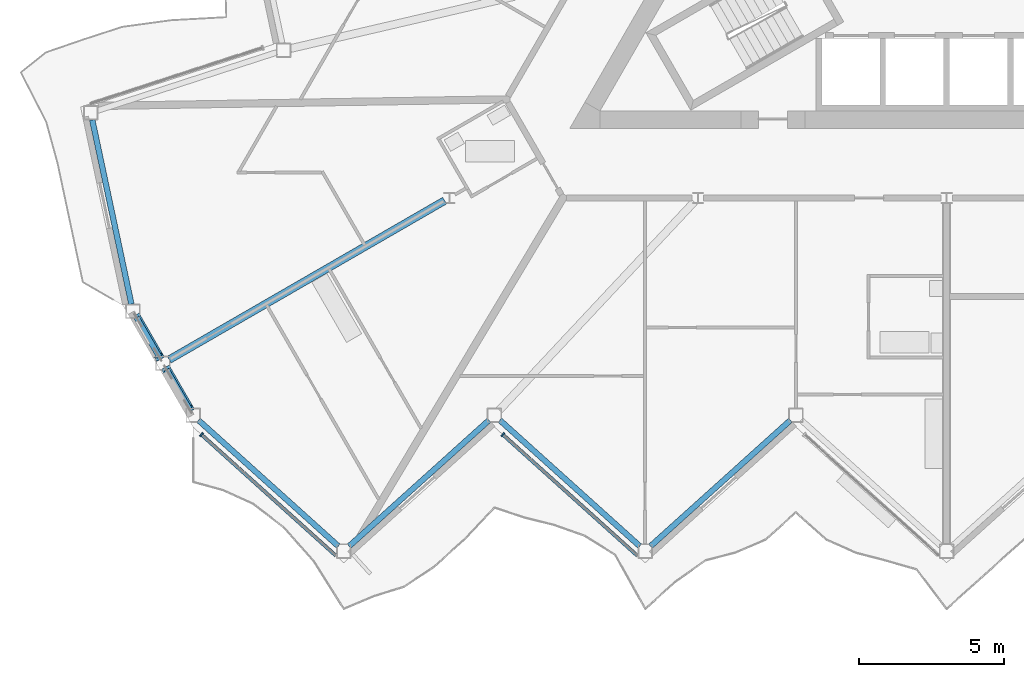
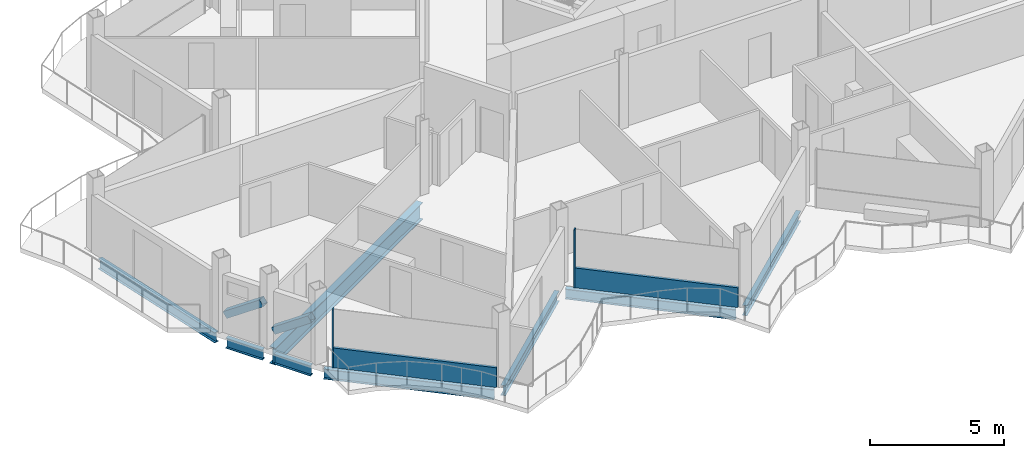
# One storey, part 4 of 26: 8 beams, 6 members, 2 elements without a shape of their own.
"""IFC4 building model written with IfcOpenShell, lengths in metres."""

from ifc_helpers import new_model, si_unit, direction, frame, origin, origin_2d, place, context, subcontext, project, spatial, rectangle, hollow_rectangle, i_section, extrude, material, layer, layer_set, material_profile, profile_set, type_object, element, aggregate, save


model = new_model("IFC4")

# Units and contexts
model_context = context("Model", 3, precision=1e-05, world=origin(), true_north=direction((0.0, 1.0)))
body_context = subcontext(model_context, "Body", "Model", "MODEL_VIEW")
ifc_project = project(units=[si_unit("LENGTHUNIT", "METRE"), si_unit("AREAUNIT", "SQUARE_METRE"), si_unit("VOLUMEUNIT", "CUBIC_METRE"), si_unit("PLANEANGLEUNIT", "RADIAN"), si_unit("MASSUNIT", "GRAM", prefix="KILO")], contexts=[model_context])

# Site, building, storey
site_placement = place(None, origin())
site = spatial("IfcSite", under=ifc_project, at=site_placement, CompositionType="ELEMENT")
building_placement = place(site_placement, origin())
building = spatial("IfcBuilding", under=site, at=building_placement, Name="Cormorant Prow Tower", CompositionType="ELEMENT")
storey_placement = place(building_placement, frame((0.0, 0.0, 384.800048828125)))
storey = spatial("IfcBuildingStorey", under=building, at=storey_placement, Name="L87", CompositionType="ELEMENT", Elevation=384.800048828125)

# Members
ifc_material_1 = material(Name="Structural steel ASTM A500 Gr C", Category="steel")
ifc_material_profile_1 = material_profile(ifc_material_1, hollow_rectangle(XDim=0.3046875, YDim=0.3046875, WallThickness=0.01171875, at=origin_2d()), Name="HSS12x12x1/2")
ifc_profile_set_1 = profile_set([ifc_material_profile_1], Name="Structural steel ASTM A500 Gr C")
member_type_1 = type_object("IfcMemberType", Name="Chamfer brace HSS12x12x1/2", PredefinedType="BRACE", material=ifc_profile_set_1)
member_1_placement = place(storey_placement, frame((-27.950439453125, -14.027587890625, 0.7705078125), z_axis=(0.411230183851, -0.712282194217, 0.568809117095), x_axis=(0.866028632512, 0.499994407638, 0.0)))
element("IfcMember", 1, at=member_1_placement, inside=storey, type_object=member_type_1, Name="Chamfer brace BR3 at WSW00 L87", PredefinedType="BRACE", context=body_context, shape_type="SweptSolid", body=[
    extrude(hollow_rectangle(XDim=0.3046875, YDim=0.3046875, WallThickness=0.01171875, at=origin_2d()), origin(), (0.0, 0.0, 1.0), 1.921142578125),
])
member_2_placement = place(storey_placement, frame((-26.91357421875, -15.823486328125, 0.7705078125), z_axis=(0.411298537745, -0.71230756954, 0.568727913175), x_axis=(0.866000359435, 0.500043375578, 0.0)))
element("IfcMember", 2, at=member_2_placement, inside=storey, type_object=member_type_1, Name="Chamfer brace BR3 at WSW01 L87", PredefinedType="BRACE", context=body_context, shape_type="SweptSolid", body=[
    extrude(hollow_rectangle(XDim=0.3046875, YDim=0.3046875, WallThickness=0.01171875, at=origin_2d()), origin(), (0.0, 0.0, 1.0), 1.92138671875),
])

# Beam
ifc_material_2 = material(Name="Structural steel ASTM A992 Gr 50", Category="steel")
ifc_material_profile_2 = material_profile(ifc_material_2, i_section(OverallWidth=0.267822265625, OverallDepth=0.77001953125, WebThickness=0.015625, FlangeThickness=0.025390625, at=origin_2d()), Name="W30x132")
ifc_profile_set_2 = profile_set([ifc_material_profile_2], Name="Structural steel ASTM A992 Gr 50")
beam_type_1 = type_object("IfcBeamType", Name="Radial floor beam W30x132", PredefinedType="BEAM", material=ifc_profile_set_2)
beam_1_placement = place(storey_placement, frame((-17.31884765625, -9.9990234375, -0.68505859375), z_axis=(-0.866018830095, -0.500011385791, 0.0), x_axis=(0.500011385791, -0.866018830095, 0.0)))
element("IfcBeam", 3, at=beam_1_placement, inside=storey, type_object=beam_type_1, Name="Radial floor beam FB3 5 L87", PredefinedType="BEAM", context=body_context, shape_type="SweptSolid", body=[
    extrude(i_section(OverallWidth=0.267822265625, OverallDepth=0.77001953125, WebThickness=0.015625, FlangeThickness=0.025390625, at=origin_2d()), origin(), (0.0, 0.0, 1.0), 10.971435546875),
])

# Curtain wall, member
ifc_material_3 = material(Name="Aluminium 6063-T6", Category="aluminium")
ifc_layer = layer(ifc_material_3, 0.159912109375)
ifc_layer_set = layer_set([ifc_layer], Name="Aluminium 6063-T6")
curtain_wall_type = type_object("IfcCurtainWallType", Name="Residential unitised curtain wall 160", PredefinedType="NOTDEFINED", material=ifc_layer_set)
curtain_wall_1_placement = place(storey_placement, origin())
curtain_wall_1 = element("IfcCurtainWall", 4, at=curtain_wall_1_placement, inside=storey, type_object=curtain_wall_type, Name="Residential curtain wall S00", PredefinedType="NOTDEFINED")
ifc_material_4 = material(Name="Aluminium 6063-T6", Category="aluminium")
ifc_material_profile_3 = material_profile(ifc_material_4, rectangle(XDim=0.159912109375, YDim=0.050048828125, at=origin_2d()), Name="Residential mullion 50x160")
ifc_profile_set_3 = profile_set([ifc_material_profile_3], Name="Aluminium 6063-T6")
member_type_2 = type_object("IfcMemberType", Name="Residential mullion 50x160", PredefinedType="MULLION", material=ifc_profile_set_3)
member_3_placement = place(storey_placement, frame((-25.70947265625, -18.0712890625, 0.0), z_axis=(0.0, 0.0, 1.0), x_axis=(0.669130603959, 0.743144827638, 0.0)))
member_3 = element("IfcMember", 5, at=member_3_placement, type_object=member_type_2, Name="Residential mullion S00", PredefinedType="MULLION", context=body_context, shape_type="SweptSolid", body=[
    extrude(rectangle(XDim=0.159912109375, YDim=0.050048828125, at=origin_2d()), origin(), (0.0, 0.0, 1.0), 2.6337890625),
])

curtain_wall_2_placement = place(storey_placement, origin())
curtain_wall_2 = element("IfcCurtainWall", 6, at=curtain_wall_2_placement, inside=storey, type_object=curtain_wall_type, Name="Residential curtain wall S02", PredefinedType="NOTDEFINED")
member_4_placement = place(storey_placement, frame((-15.309326171875, -18.0712890625, 0.0), z_axis=(0.0, 0.0, 1.0), x_axis=(0.669130603959, 0.743144827638, 0.0)))
member_4 = element("IfcMember", 7, at=member_4_placement, type_object=member_type_2, Name="Residential mullion S02", PredefinedType="MULLION", context=body_context, shape_type="SweptSolid", body=[
    extrude(rectangle(XDim=0.159912109375, YDim=0.050048828125, at=origin_2d()), origin(), (0.0, 0.0, 1.0), 2.6337890625),
])

# Member
ifc_material_5 = material(Name="Terracotta", Category="masonry")
ifc_material_profile_4 = material_profile(ifc_material_5, rectangle(XDim=0.1201171875, YDim=0.89990234375, at=origin_2d()), Name="Residential terracotta spandrel rail 120x900")
ifc_profile_set_4 = profile_set([ifc_material_profile_4], Name="Terracotta")
member_type_3 = type_object("IfcMemberType", Name="Residential terracotta spandrel rail 120x900", PredefinedType="USERDEFINED", material=ifc_profile_set_4)
member_5_placement = place(storey_placement, frame((-25.69091796875, -18.088134765625, 0.449951171875), z_axis=(0.743159360055, -0.669114463723, 0.0), x_axis=(0.669114463723, 0.743159360055, 0.0)))
member_5 = element("IfcMember", 8, at=member_5_placement, type_object=member_type_3, Name="Residential spandrel rail S00", ObjectType="TRANSOM", PredefinedType="USERDEFINED", context=body_context, shape_type="SweptSolid", body=[
    extrude(rectangle(XDim=0.1201171875, YDim=0.89990234375, at=origin_2d()), origin(), (0.0, 0.0, 1.0), 6.21533203125),
])

aggregate(curtain_wall_1, [member_3, member_5])

member_6_placement = place(storey_placement, frame((-15.290771484375, -18.088134765625, 0.449951171875), z_axis=(0.743159360055, -0.669114463723, 0.0), x_axis=(0.669114463723, 0.743159360055, 0.0)))
member_6 = element("IfcMember", 9, at=member_6_placement, type_object=member_type_3, Name="Residential spandrel rail S02", ObjectType="TRANSOM", PredefinedType="USERDEFINED", context=body_context, shape_type="SweptSolid", body=[
    extrude(rectangle(XDim=0.1201171875, YDim=0.89990234375, at=origin_2d()), origin(), (0.0, 0.0, 1.0), 6.21533203125),
])

aggregate(curtain_wall_2, [member_4, member_6])

# Beams
ifc_material_6 = material(Name="Structural steel ASTM A992 Gr 50", Category="steel")
ifc_material_profile_5 = material_profile(ifc_material_6, i_section(OverallWidth=0.19287109375, OverallDepth=0.466064453125, WebThickness=0.011474609375, FlangeThickness=0.01904296875, at=origin_2d()), Name="W18x65")
ifc_profile_set_5 = profile_set([ifc_material_profile_5], Name="Structural steel ASTM A992 Gr 50")
beam_type_2 = type_object("IfcBeamType", Name="Spandrel beam W18x65", PredefinedType="SPANDREL", material=ifc_profile_set_5)
for number, where, z_axis, x_axis, name in (
    (10, (-25.814208984375, -17.572998046875, -0.533203125), (0.743131573737, -0.669145323614, 0.0), (0.669145323614, 0.743131573737, 0.0), "Spandrel beam SB4 S00-S01 L87"),
    (11, (-20.6142578125, -21.920654296875, -0.533203125), (0.743131573737, 0.669145323614, 0.0), (-0.669145323614, 0.743131573737, 0.0), "Spandrel beam SB4 S01-S02 L87"),
):
    element("IfcBeam", number, at=place(storey_placement, frame(where, z_axis=z_axis, x_axis=x_axis)), inside=storey, type_object=beam_type_2, Name=name, PredefinedType="SPANDREL", context=body_context, shape_type="SweptSolid", body=[
        extrude(i_section(OverallWidth=0.19287109375, OverallDepth=0.466064453125, WebThickness=0.011474609375, FlangeThickness=0.01904296875, at=origin_2d()), origin(), (0.0, 0.0, 1.0), 6.497314453125),
    ])
beam_2_placement = place(storey_placement, frame((-15.414306640625, -17.572998046875, -0.533203125), z_axis=(0.743148397689, -0.669126638995, 0.0), x_axis=(0.669126638995, 0.743148397689, 0.0)))
element("IfcBeam", 12, at=beam_2_placement, inside=storey, type_object=beam_type_2, Name="Spandrel beam SB4 S02-S03 L87", PredefinedType="SPANDREL", context=body_context, shape_type="SweptSolid", body=[
    extrude(i_section(OverallWidth=0.19287109375, OverallDepth=0.466064453125, WebThickness=0.011474609375, FlangeThickness=0.01904296875, at=origin_2d()), origin(), (0.0, 0.0, 1.0), 6.49755859375),
])
beam_3_placement = place(storey_placement, frame((-10.214111328125, -21.920654296875, -0.533203125), z_axis=(0.743131573737, 0.669145323614, 0.0), x_axis=(-0.669145323614, 0.743131573737, 0.0)))
element("IfcBeam", 13, at=beam_3_placement, inside=storey, type_object=beam_type_2, Name="Spandrel beam SB4 S03-S04 L87", PredefinedType="SPANDREL", context=body_context, shape_type="SweptSolid", body=[
    extrude(i_section(OverallWidth=0.19287109375, OverallDepth=0.466064453125, WebThickness=0.011474609375, FlangeThickness=0.01904296875, at=origin_2d()), origin(), (0.0, 0.0, 1.0), 6.497314453125),
])
beam_4_placement = place(storey_placement, frame((-29.4765625, -7.2138671875, -0.533203125), z_axis=(0.207901897373, -0.978149682344, 0.0), x_axis=(0.978149682344, 0.207901897373, 0.0)))
element("IfcBeam", 14, at=beam_4_placement, inside=storey, type_object=beam_type_2, Name="Spandrel beam SB4 WNW09-WSW00 L87", PredefinedType="SPANDREL", context=body_context, shape_type="SweptSolid", body=[
    extrude(i_section(OverallWidth=0.19287109375, OverallDepth=0.466064453125, WebThickness=0.011474609375, FlangeThickness=0.01904296875, at=origin_2d()), origin(), (0.0, 0.0, 1.0), 6.49755859375),
])
for number, where, z_axis, x_axis, name in (
    (15, (-27.94873046875, -14.0302734375, -0.533203125), (0.499959680857, -0.866048680801, 0.0), (0.866048680801, 0.499959680857, 0.0), "Spandrel beam SB4 WSW00-WSW01 L87"),
    (16, (-26.911865234375, -15.826171875, -0.533203125), (0.499959680857, -0.866048680801, 0.0), (0.866048680801, 0.499959680857, 0.0), "Spandrel beam SB4 WSW01-S00 L87"),
):
    element("IfcBeam", number, at=place(storey_placement, frame(where, z_axis=z_axis, x_axis=x_axis)), inside=storey, type_object=beam_type_2, Name=name, PredefinedType="SPANDREL", context=body_context, shape_type="SweptSolid", body=[
        extrude(i_section(OverallWidth=0.19287109375, OverallDepth=0.466064453125, WebThickness=0.011474609375, FlangeThickness=0.01904296875, at=origin_2d()), origin(), (0.0, 0.0, 1.0), 1.573974609375),
    ])

save(model, "model.ifc")
